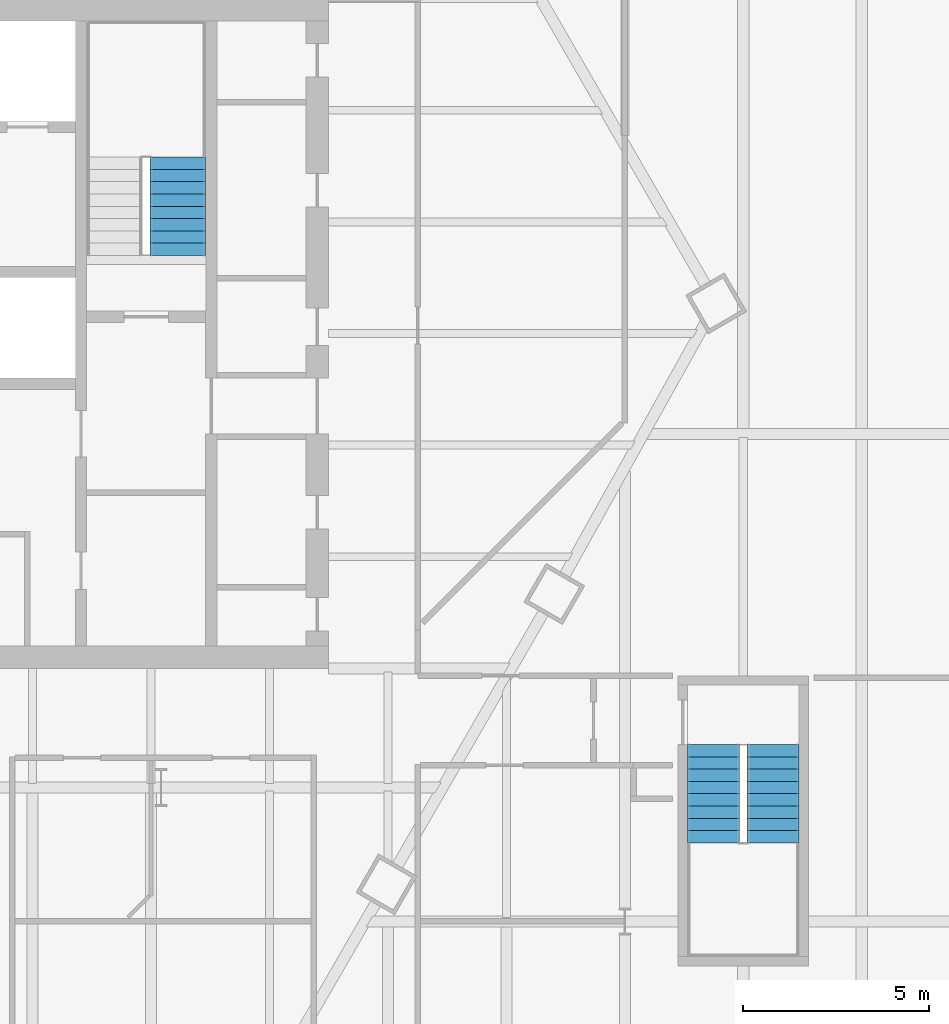
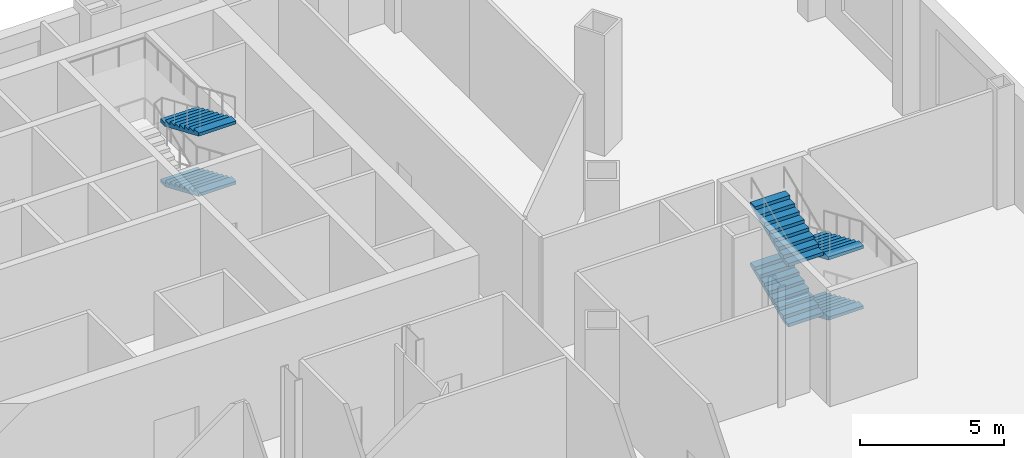
# One storey, part 18 of 20: 6 stair flights, 2 elements without a shape of their own.
"""IFC4 building model written with IfcOpenShell, lengths in metres."""

from ifc_helpers import new_model, si_unit, direction, frame, origin, place, context, subcontext, project, spatial, polygons, material, type_object, element, aggregate, save


model = new_model("IFC4")

# Units and contexts
model_context = context("Model", 3, precision=1e-05, world=origin(), true_north=direction((0.0, 1.0)))
body_context = subcontext(model_context, "Body", "Model", "MODEL_VIEW")
ifc_project = project(units=[si_unit("LENGTHUNIT", "METRE"), si_unit("AREAUNIT", "SQUARE_METRE"), si_unit("VOLUMEUNIT", "CUBIC_METRE"), si_unit("PLANEANGLEUNIT", "RADIAN"), si_unit("MASSUNIT", "GRAM", prefix="KILO")], contexts=[model_context])

# Site, building, storey
site_placement = place(None, origin())
site = spatial("IfcSite", under=ifc_project, at=site_placement, CompositionType="ELEMENT")
building_placement = place(site_placement, origin())
building = spatial("IfcBuilding", under=site, at=building_placement, Name="Njiva Tower", CompositionType="ELEMENT")
storey_placement = place(building_placement, frame((0.0, 0.0, 18.6)))
storey = spatial("IfcBuildingStorey", under=building, at=storey_placement, Name="L03", CompositionType="ELEMENT", Elevation=18.6)

# Stair, stair flights
ifc_material = material(Name="Concrete C40/50", Category="concrete")
stair_type_1 = type_object("IfcStairType", Name="ST2 Exit stair 1400", PredefinedType="HALF_TURN_STAIR", material=ifc_material)
stair_1_placement = place(storey_placement, origin())
stair_1 = element("IfcStair", 1, at=stair_1_placement, inside=storey, type_object=stair_type_1, Name="Stair G", PredefinedType="DOUBLE_RETURN_STAIR")
stair_flight_type_1 = type_object("IfcStairFlightType", Name="FL2 Stair flight 1400", PredefinedType="STRAIGHT", material=ifc_material)
stair_flight_1_placement = place(storey_placement, frame((29.45, -2.05, 0.0), z_axis=(0.0, 0.0, 1.0), x_axis=(0.0, -1.0, 0.0)))
stair_flight_1 = element("IfcStairFlight", 2, at=stair_flight_1_placement, type_object=stair_flight_type_1, Name="ST-G flight 1", NumberOfRisers=9, NumberOfTreads=8, PredefinedType="STRAIGHT", RiserHeight=0.141666667, TreadLength=0.33, context=body_context, shape_type="Tessellation", body=[
    polygons([(0.0, 0.7, 0.0), (0.0, 0.35, 0.0), (0.0, 0.0, 0.0), (0.0, -0.35, 0.0), (0.0, -0.7, 0.0), (0.0, 0.7, 0.1417), (0.0, 0.35, 0.1417), (0.0, 0.0, 0.1417), (0.0, -0.35, 0.1417), (0.0, -0.7, 0.1417), (0.33, 0.7, 0.1417), (0.33, 0.35, 0.1417), (0.33, 0.0, 0.1417), (0.33, -0.35, 0.1417), (0.33, -0.7, 0.1417), (0.33, 0.7, 0.2833), (0.33, 0.35, 0.2833), (0.33, 0.0, 0.2833), (0.33, -0.35, 0.2833), (0.33, -0.7, 0.2833), (0.66, 0.7, 0.2833), (0.66, 0.35, 0.2833), (0.66, 0.0, 0.2833), (0.66, -0.35, 0.2833), (0.66, -0.7, 0.2833), (0.66, 0.7, 0.425), (0.66, 0.35, 0.425), (0.66, 0.0, 0.425), (0.66, -0.35, 0.425), (0.66, -0.7, 0.425), (0.99, 0.7, 0.425), (0.99, 0.35, 0.425), (0.99, 0.0, 0.425), (0.99, -0.35, 0.425), (0.99, -0.7, 0.425), (0.99, 0.7, 0.5667), (0.99, 0.35, 0.5667), (0.99, 0.0, 0.5667), (0.99, -0.35, 0.5667), (0.99, -0.7, 0.5667), (1.32, 0.7, 0.5667), (1.32, 0.35, 0.5667), (1.32, 0.0, 0.5667), (1.32, -0.35, 0.5667), (1.32, -0.7, 0.5667), (1.32, 0.7, 0.7083), (1.32, 0.35, 0.7083), (1.32, 0.0, 0.7083), (1.32, -0.35, 0.7083), (1.32, -0.7, 0.7083), (1.65, 0.7, 0.7083), (1.65, 0.35, 0.7083), (1.65, 0.0, 0.7083), (1.65, -0.35, 0.7083), (1.65, -0.7, 0.7083), (1.65, 0.7, 0.85), (1.65, 0.35, 0.85), (1.65, 0.0, 0.85), (1.65, -0.35, 0.85), (1.65, -0.7, 0.85), (1.98, 0.7, 0.85), (1.98, 0.35, 0.85), (1.98, 0.0, 0.85), (1.98, -0.35, 0.85), (1.98, -0.7, 0.85), (1.98, 0.7, 0.9917), (1.98, 0.35, 0.9917), (1.98, 0.0, 0.9917), (1.98, -0.35, 0.9917), (1.98, -0.7, 0.9917), (2.31, 0.7, 0.9917), (2.31, 0.35, 0.9917), (2.31, 0.0, 0.9917), (2.31, -0.35, 0.9917), (2.31, -0.7, 0.9917), (2.31, 0.7, 1.1333), (2.31, 0.35, 1.1333), (2.31, 0.0, 1.1333), (2.31, -0.35, 1.1333), (2.31, -0.7, 1.1333), (2.64, 0.7, 1.1333), (2.64, 0.35, 1.1333), (2.64, 0.0, 1.1333), (2.64, -0.35, 1.1333), (2.64, -0.7, 1.1333), (2.64, 0.7, 1.0027), (2.64, 0.35, 1.0027), (2.64, 0.0, 1.0027), (2.64, -0.35, 1.0027), (2.64, -0.7, 1.0027), (0.3042, 0.7, 0.0), (0.3042, 0.35, 0.0), (0.3042, 0.0, 0.0), (0.3042, -0.35, 0.0), (0.3042, -0.7, 0.0)], [[[1, 6, 11, 16, 21, 26, 31, 36, 41, 46, 51, 56, 61, 66, 71, 76, 81, 86, 91]], [[95, 90, 85, 80, 75, 70, 65, 60, 55, 50, 45, 40, 35, 30, 25, 20, 15, 10, 5]], [[6, 1, 2, 7]], [[7, 2, 3, 8]], [[8, 3, 4, 9]], [[9, 4, 5, 10]], [[11, 6, 7, 12]], [[12, 7, 8, 13]], [[13, 8, 9, 14]], [[14, 9, 10, 15]], [[16, 11, 12, 17]], [[17, 12, 13, 18]], [[18, 13, 14, 19]], [[19, 14, 15, 20]], [[21, 16, 17, 22]], [[22, 17, 18, 23]], [[23, 18, 19, 24]], [[24, 19, 20, 25]], [[26, 21, 22, 27]], [[27, 22, 23, 28]], [[28, 23, 24, 29]], [[29, 24, 25, 30]], [[31, 26, 27, 32]], [[32, 27, 28, 33]], [[33, 28, 29, 34]], [[34, 29, 30, 35]], [[36, 31, 32, 37]], [[37, 32, 33, 38]], [[38, 33, 34, 39]], [[39, 34, 35, 40]], [[41, 36, 37, 42]], [[42, 37, 38, 43]], [[43, 38, 39, 44]], [[44, 39, 40, 45]], [[46, 41, 42, 47]], [[47, 42, 43, 48]], [[48, 43, 44, 49]], [[49, 44, 45, 50]], [[51, 46, 47, 52]], [[52, 47, 48, 53]], [[53, 48, 49, 54]], [[54, 49, 50, 55]], [[56, 51, 52, 57]], [[57, 52, 53, 58]], [[58, 53, 54, 59]], [[59, 54, 55, 60]], [[61, 56, 57, 62]], [[62, 57, 58, 63]], [[63, 58, 59, 64]], [[64, 59, 60, 65]], [[66, 61, 62, 67]], [[67, 62, 63, 68]], [[68, 63, 64, 69]], [[69, 64, 65, 70]], [[71, 66, 67, 72]], [[72, 67, 68, 73]], [[73, 68, 69, 74]], [[74, 69, 70, 75]], [[76, 71, 72, 77]], [[77, 72, 73, 78]], [[78, 73, 74, 79]], [[79, 74, 75, 80]], [[81, 76, 77, 82]], [[82, 77, 78, 83]], [[83, 78, 79, 84]], [[84, 79, 80, 85]], [[86, 81, 82, 87]], [[87, 82, 83, 88]], [[88, 83, 84, 89]], [[89, 84, 85, 90]], [[91, 86, 87, 92]], [[92, 87, 88, 93]], [[93, 88, 89, 94]], [[94, 89, 90, 95]], [[1, 91, 92, 2]], [[2, 92, 93, 3]], [[3, 93, 94, 4]], [[4, 94, 95, 5]]], closed=True),
])
stair_flight_2_placement = place(storey_placement, frame((27.85, -4.69, 1.275), z_axis=(0.0, 0.0, 1.0), x_axis=(0.0, 1.0, 0.0)))
stair_flight_2 = element("IfcStairFlight", 3, at=stair_flight_2_placement, type_object=stair_flight_type_1, Name="ST-G flight 2", NumberOfRisers=9, NumberOfTreads=8, PredefinedType="STRAIGHT", RiserHeight=0.141666667, TreadLength=0.33, context=body_context, shape_type="Tessellation", body=[
    polygons([(0.0, 0.7, 0.0), (0.0, 0.35, 0.0), (0.0, 0.0, 0.0), (0.0, -0.35, 0.0), (0.0, -0.7, 0.0), (0.0, 0.7, 0.1417), (0.0, 0.35, 0.1417), (0.0, 0.0, 0.1417), (0.0, -0.35, 0.1417), (0.0, -0.7, 0.1417), (0.33, 0.7, 0.1417), (0.33, 0.35, 0.1417), (0.33, 0.0, 0.1417), (0.33, -0.35, 0.1417), (0.33, -0.7, 0.1417), (0.33, 0.7, 0.2833), (0.33, 0.35, 0.2833), (0.33, 0.0, 0.2833), (0.33, -0.35, 0.2833), (0.33, -0.7, 0.2833), (0.66, 0.7, 0.2833), (0.66, 0.35, 0.2833), (0.66, 0.0, 0.2833), (0.66, -0.35, 0.2833), (0.66, -0.7, 0.2833), (0.66, 0.7, 0.425), (0.66, 0.35, 0.425), (0.66, 0.0, 0.425), (0.66, -0.35, 0.425), (0.66, -0.7, 0.425), (0.99, 0.7, 0.425), (0.99, 0.35, 0.425), (0.99, 0.0, 0.425), (0.99, -0.35, 0.425), (0.99, -0.7, 0.425), (0.99, 0.7, 0.5667), (0.99, 0.35, 0.5667), (0.99, 0.0, 0.5667), (0.99, -0.35, 0.5667), (0.99, -0.7, 0.5667), (1.32, 0.7, 0.5667), (1.32, 0.35, 0.5667), (1.32, 0.0, 0.5667), (1.32, -0.35, 0.5667), (1.32, -0.7, 0.5667), (1.32, 0.7, 0.7083), (1.32, 0.35, 0.7083), (1.32, 0.0, 0.7083), (1.32, -0.35, 0.7083), (1.32, -0.7, 0.7083), (1.65, 0.7, 0.7083), (1.65, 0.35, 0.7083), (1.65, 0.0, 0.7083), (1.65, -0.35, 0.7083), (1.65, -0.7, 0.7083), (1.65, 0.7, 0.85), (1.65, 0.35, 0.85), (1.65, 0.0, 0.85), (1.65, -0.35, 0.85), (1.65, -0.7, 0.85), (1.98, 0.7, 0.85), (1.98, 0.35, 0.85), (1.98, 0.0, 0.85), (1.98, -0.35, 0.85), (1.98, -0.7, 0.85), (1.98, 0.7, 0.9917), (1.98, 0.35, 0.9917), (1.98, 0.0, 0.9917), (1.98, -0.35, 0.9917), (1.98, -0.7, 0.9917), (2.31, 0.7, 0.9917), (2.31, 0.35, 0.9917), (2.31, 0.0, 0.9917), (2.31, -0.35, 0.9917), (2.31, -0.7, 0.9917), (2.31, 0.7, 1.1333), (2.31, 0.35, 1.1333), (2.31, 0.0, 1.1333), (2.31, -0.35, 1.1333), (2.31, -0.7, 1.1333), (2.64, 0.7, 1.1333), (2.64, 0.35, 1.1333), (2.64, 0.0, 1.1333), (2.64, -0.35, 1.1333), (2.64, -0.7, 1.1333), (2.64, 0.7, 1.0027), (2.64, 0.35, 1.0027), (2.64, 0.0, 1.0027), (2.64, -0.35, 1.0027), (2.64, -0.7, 1.0027), (0.3042, 0.7, 0.0), (0.3042, 0.35, 0.0), (0.3042, 0.0, 0.0), (0.3042, -0.35, 0.0), (0.3042, -0.7, 0.0)], [[[1, 6, 11, 16, 21, 26, 31, 36, 41, 46, 51, 56, 61, 66, 71, 76, 81, 86, 91]], [[95, 90, 85, 80, 75, 70, 65, 60, 55, 50, 45, 40, 35, 30, 25, 20, 15, 10, 5]], [[6, 1, 2, 7]], [[7, 2, 3, 8]], [[8, 3, 4, 9]], [[9, 4, 5, 10]], [[11, 6, 7, 12]], [[12, 7, 8, 13]], [[13, 8, 9, 14]], [[14, 9, 10, 15]], [[16, 11, 12, 17]], [[17, 12, 13, 18]], [[18, 13, 14, 19]], [[19, 14, 15, 20]], [[21, 16, 17, 22]], [[22, 17, 18, 23]], [[23, 18, 19, 24]], [[24, 19, 20, 25]], [[26, 21, 22, 27]], [[27, 22, 23, 28]], [[28, 23, 24, 29]], [[29, 24, 25, 30]], [[31, 26, 27, 32]], [[32, 27, 28, 33]], [[33, 28, 29, 34]], [[34, 29, 30, 35]], [[36, 31, 32, 37]], [[37, 32, 33, 38]], [[38, 33, 34, 39]], [[39, 34, 35, 40]], [[41, 36, 37, 42]], [[42, 37, 38, 43]], [[43, 38, 39, 44]], [[44, 39, 40, 45]], [[46, 41, 42, 47]], [[47, 42, 43, 48]], [[48, 43, 44, 49]], [[49, 44, 45, 50]], [[51, 46, 47, 52]], [[52, 47, 48, 53]], [[53, 48, 49, 54]], [[54, 49, 50, 55]], [[56, 51, 52, 57]], [[57, 52, 53, 58]], [[58, 53, 54, 59]], [[59, 54, 55, 60]], [[61, 56, 57, 62]], [[62, 57, 58, 63]], [[63, 58, 59, 64]], [[64, 59, 60, 65]], [[66, 61, 62, 67]], [[67, 62, 63, 68]], [[68, 63, 64, 69]], [[69, 64, 65, 70]], [[71, 66, 67, 72]], [[72, 67, 68, 73]], [[73, 68, 69, 74]], [[74, 69, 70, 75]], [[76, 71, 72, 77]], [[77, 72, 73, 78]], [[78, 73, 74, 79]], [[79, 74, 75, 80]], [[81, 76, 77, 82]], [[82, 77, 78, 83]], [[83, 78, 79, 84]], [[84, 79, 80, 85]], [[86, 81, 82, 87]], [[87, 82, 83, 88]], [[88, 83, 84, 89]], [[89, 84, 85, 90]], [[91, 86, 87, 92]], [[92, 87, 88, 93]], [[93, 88, 89, 94]], [[94, 89, 90, 95]], [[1, 91, 92, 2]], [[2, 92, 93, 3]], [[3, 93, 94, 4]], [[4, 94, 95, 5]]], closed=True),
])
stair_flight_3_placement = place(storey_placement, frame((29.45, -2.05, 2.55), z_axis=(0.0, 0.0, 1.0), x_axis=(0.0, -1.0, 0.0)))
stair_flight_3 = element("IfcStairFlight", 4, at=stair_flight_3_placement, type_object=stair_flight_type_1, Name="ST-G flight 3", NumberOfRisers=9, NumberOfTreads=8, PredefinedType="STRAIGHT", RiserHeight=0.141666667, TreadLength=0.33, context=body_context, shape_type="Tessellation", body=[
    polygons([(0.0, 0.7, 0.0), (0.0, 0.35, 0.0), (0.0, 0.0, 0.0), (0.0, -0.35, 0.0), (0.0, -0.7, 0.0), (0.0, 0.7, 0.1417), (0.0, 0.35, 0.1417), (0.0, 0.0, 0.1417), (0.0, -0.35, 0.1417), (0.0, -0.7, 0.1417), (0.33, 0.7, 0.1417), (0.33, 0.35, 0.1417), (0.33, 0.0, 0.1417), (0.33, -0.35, 0.1417), (0.33, -0.7, 0.1417), (0.33, 0.7, 0.2833), (0.33, 0.35, 0.2833), (0.33, 0.0, 0.2833), (0.33, -0.35, 0.2833), (0.33, -0.7, 0.2833), (0.66, 0.7, 0.2833), (0.66, 0.35, 0.2833), (0.66, 0.0, 0.2833), (0.66, -0.35, 0.2833), (0.66, -0.7, 0.2833), (0.66, 0.7, 0.425), (0.66, 0.35, 0.425), (0.66, 0.0, 0.425), (0.66, -0.35, 0.425), (0.66, -0.7, 0.425), (0.99, 0.7, 0.425), (0.99, 0.35, 0.425), (0.99, 0.0, 0.425), (0.99, -0.35, 0.425), (0.99, -0.7, 0.425), (0.99, 0.7, 0.5667), (0.99, 0.35, 0.5667), (0.99, 0.0, 0.5667), (0.99, -0.35, 0.5667), (0.99, -0.7, 0.5667), (1.32, 0.7, 0.5667), (1.32, 0.35, 0.5667), (1.32, 0.0, 0.5667), (1.32, -0.35, 0.5667), (1.32, -0.7, 0.5667), (1.32, 0.7, 0.7083), (1.32, 0.35, 0.7083), (1.32, 0.0, 0.7083), (1.32, -0.35, 0.7083), (1.32, -0.7, 0.7083), (1.65, 0.7, 0.7083), (1.65, 0.35, 0.7083), (1.65, 0.0, 0.7083), (1.65, -0.35, 0.7083), (1.65, -0.7, 0.7083), (1.65, 0.7, 0.85), (1.65, 0.35, 0.85), (1.65, 0.0, 0.85), (1.65, -0.35, 0.85), (1.65, -0.7, 0.85), (1.98, 0.7, 0.85), (1.98, 0.35, 0.85), (1.98, 0.0, 0.85), (1.98, -0.35, 0.85), (1.98, -0.7, 0.85), (1.98, 0.7, 0.9917), (1.98, 0.35, 0.9917), (1.98, 0.0, 0.9917), (1.98, -0.35, 0.9917), (1.98, -0.7, 0.9917), (2.31, 0.7, 0.9917), (2.31, 0.35, 0.9917), (2.31, 0.0, 0.9917), (2.31, -0.35, 0.9917), (2.31, -0.7, 0.9917), (2.31, 0.7, 1.1333), (2.31, 0.35, 1.1333), (2.31, 0.0, 1.1333), (2.31, -0.35, 1.1333), (2.31, -0.7, 1.1333), (2.64, 0.7, 1.1333), (2.64, 0.35, 1.1333), (2.64, 0.0, 1.1333), (2.64, -0.35, 1.1333), (2.64, -0.7, 1.1333), (2.64, 0.7, 1.0027), (2.64, 0.35, 1.0027), (2.64, 0.0, 1.0027), (2.64, -0.35, 1.0027), (2.64, -0.7, 1.0027), (0.3042, 0.7, 0.0), (0.3042, 0.35, 0.0), (0.3042, 0.0, 0.0), (0.3042, -0.35, 0.0), (0.3042, -0.7, 0.0)], [[[1, 6, 11, 16, 21, 26, 31, 36, 41, 46, 51, 56, 61, 66, 71, 76, 81, 86, 91]], [[95, 90, 85, 80, 75, 70, 65, 60, 55, 50, 45, 40, 35, 30, 25, 20, 15, 10, 5]], [[6, 1, 2, 7]], [[7, 2, 3, 8]], [[8, 3, 4, 9]], [[9, 4, 5, 10]], [[11, 6, 7, 12]], [[12, 7, 8, 13]], [[13, 8, 9, 14]], [[14, 9, 10, 15]], [[16, 11, 12, 17]], [[17, 12, 13, 18]], [[18, 13, 14, 19]], [[19, 14, 15, 20]], [[21, 16, 17, 22]], [[22, 17, 18, 23]], [[23, 18, 19, 24]], [[24, 19, 20, 25]], [[26, 21, 22, 27]], [[27, 22, 23, 28]], [[28, 23, 24, 29]], [[29, 24, 25, 30]], [[31, 26, 27, 32]], [[32, 27, 28, 33]], [[33, 28, 29, 34]], [[34, 29, 30, 35]], [[36, 31, 32, 37]], [[37, 32, 33, 38]], [[38, 33, 34, 39]], [[39, 34, 35, 40]], [[41, 36, 37, 42]], [[42, 37, 38, 43]], [[43, 38, 39, 44]], [[44, 39, 40, 45]], [[46, 41, 42, 47]], [[47, 42, 43, 48]], [[48, 43, 44, 49]], [[49, 44, 45, 50]], [[51, 46, 47, 52]], [[52, 47, 48, 53]], [[53, 48, 49, 54]], [[54, 49, 50, 55]], [[56, 51, 52, 57]], [[57, 52, 53, 58]], [[58, 53, 54, 59]], [[59, 54, 55, 60]], [[61, 56, 57, 62]], [[62, 57, 58, 63]], [[63, 58, 59, 64]], [[64, 59, 60, 65]], [[66, 61, 62, 67]], [[67, 62, 63, 68]], [[68, 63, 64, 69]], [[69, 64, 65, 70]], [[71, 66, 67, 72]], [[72, 67, 68, 73]], [[73, 68, 69, 74]], [[74, 69, 70, 75]], [[76, 71, 72, 77]], [[77, 72, 73, 78]], [[78, 73, 74, 79]], [[79, 74, 75, 80]], [[81, 76, 77, 82]], [[82, 77, 78, 83]], [[83, 78, 79, 84]], [[84, 79, 80, 85]], [[86, 81, 82, 87]], [[87, 82, 83, 88]], [[88, 83, 84, 89]], [[89, 84, 85, 90]], [[91, 86, 87, 92]], [[92, 87, 88, 93]], [[93, 88, 89, 94]], [[94, 89, 90, 95]], [[1, 91, 92, 2]], [[2, 92, 93, 3]], [[3, 93, 94, 4]], [[4, 94, 95, 5]]], closed=True),
])
stair_flight_4_placement = place(storey_placement, frame((27.85, -4.69, 3.825), z_axis=(0.0, 0.0, 1.0), x_axis=(0.0, 1.0, 0.0)))
stair_flight_4 = element("IfcStairFlight", 5, at=stair_flight_4_placement, type_object=stair_flight_type_1, Name="ST-G flight 4", NumberOfRisers=9, NumberOfTreads=8, PredefinedType="STRAIGHT", RiserHeight=0.141666667, TreadLength=0.33, context=body_context, shape_type="Tessellation", body=[
    polygons([(0.0, 0.7, 0.0), (0.0, 0.35, 0.0), (0.0, 0.0, 0.0), (0.0, -0.35, 0.0), (0.0, -0.7, 0.0), (0.0, 0.7, 0.1417), (0.0, 0.35, 0.1417), (0.0, 0.0, 0.1417), (0.0, -0.35, 0.1417), (0.0, -0.7, 0.1417), (0.33, 0.7, 0.1417), (0.33, 0.35, 0.1417), (0.33, 0.0, 0.1417), (0.33, -0.35, 0.1417), (0.33, -0.7, 0.1417), (0.33, 0.7, 0.2833), (0.33, 0.35, 0.2833), (0.33, 0.0, 0.2833), (0.33, -0.35, 0.2833), (0.33, -0.7, 0.2833), (0.66, 0.7, 0.2833), (0.66, 0.35, 0.2833), (0.66, 0.0, 0.2833), (0.66, -0.35, 0.2833), (0.66, -0.7, 0.2833), (0.66, 0.7, 0.425), (0.66, 0.35, 0.425), (0.66, 0.0, 0.425), (0.66, -0.35, 0.425), (0.66, -0.7, 0.425), (0.99, 0.7, 0.425), (0.99, 0.35, 0.425), (0.99, 0.0, 0.425), (0.99, -0.35, 0.425), (0.99, -0.7, 0.425), (0.99, 0.7, 0.5667), (0.99, 0.35, 0.5667), (0.99, 0.0, 0.5667), (0.99, -0.35, 0.5667), (0.99, -0.7, 0.5667), (1.32, 0.7, 0.5667), (1.32, 0.35, 0.5667), (1.32, 0.0, 0.5667), (1.32, -0.35, 0.5667), (1.32, -0.7, 0.5667), (1.32, 0.7, 0.7083), (1.32, 0.35, 0.7083), (1.32, 0.0, 0.7083), (1.32, -0.35, 0.7083), (1.32, -0.7, 0.7083), (1.65, 0.7, 0.7083), (1.65, 0.35, 0.7083), (1.65, 0.0, 0.7083), (1.65, -0.35, 0.7083), (1.65, -0.7, 0.7083), (1.65, 0.7, 0.85), (1.65, 0.35, 0.85), (1.65, 0.0, 0.85), (1.65, -0.35, 0.85), (1.65, -0.7, 0.85), (1.98, 0.7, 0.85), (1.98, 0.35, 0.85), (1.98, 0.0, 0.85), (1.98, -0.35, 0.85), (1.98, -0.7, 0.85), (1.98, 0.7, 0.9917), (1.98, 0.35, 0.9917), (1.98, 0.0, 0.9917), (1.98, -0.35, 0.9917), (1.98, -0.7, 0.9917), (2.31, 0.7, 0.9917), (2.31, 0.35, 0.9917), (2.31, 0.0, 0.9917), (2.31, -0.35, 0.9917), (2.31, -0.7, 0.9917), (2.31, 0.7, 1.1333), (2.31, 0.35, 1.1333), (2.31, 0.0, 1.1333), (2.31, -0.35, 1.1333), (2.31, -0.7, 1.1333), (2.64, 0.7, 1.1333), (2.64, 0.35, 1.1333), (2.64, 0.0, 1.1333), (2.64, -0.35, 1.1333), (2.64, -0.7, 1.1333), (2.64, 0.7, 1.0027), (2.64, 0.35, 1.0027), (2.64, 0.0, 1.0027), (2.64, -0.35, 1.0027), (2.64, -0.7, 1.0027), (0.3042, 0.7, 0.0), (0.3042, 0.35, 0.0), (0.3042, 0.0, 0.0), (0.3042, -0.35, 0.0), (0.3042, -0.7, 0.0)], [[[1, 6, 11, 16, 21, 26, 31, 36, 41, 46, 51, 56, 61, 66, 71, 76, 81, 86, 91]], [[95, 90, 85, 80, 75, 70, 65, 60, 55, 50, 45, 40, 35, 30, 25, 20, 15, 10, 5]], [[6, 1, 2, 7]], [[7, 2, 3, 8]], [[8, 3, 4, 9]], [[9, 4, 5, 10]], [[11, 6, 7, 12]], [[12, 7, 8, 13]], [[13, 8, 9, 14]], [[14, 9, 10, 15]], [[16, 11, 12, 17]], [[17, 12, 13, 18]], [[18, 13, 14, 19]], [[19, 14, 15, 20]], [[21, 16, 17, 22]], [[22, 17, 18, 23]], [[23, 18, 19, 24]], [[24, 19, 20, 25]], [[26, 21, 22, 27]], [[27, 22, 23, 28]], [[28, 23, 24, 29]], [[29, 24, 25, 30]], [[31, 26, 27, 32]], [[32, 27, 28, 33]], [[33, 28, 29, 34]], [[34, 29, 30, 35]], [[36, 31, 32, 37]], [[37, 32, 33, 38]], [[38, 33, 34, 39]], [[39, 34, 35, 40]], [[41, 36, 37, 42]], [[42, 37, 38, 43]], [[43, 38, 39, 44]], [[44, 39, 40, 45]], [[46, 41, 42, 47]], [[47, 42, 43, 48]], [[48, 43, 44, 49]], [[49, 44, 45, 50]], [[51, 46, 47, 52]], [[52, 47, 48, 53]], [[53, 48, 49, 54]], [[54, 49, 50, 55]], [[56, 51, 52, 57]], [[57, 52, 53, 58]], [[58, 53, 54, 59]], [[59, 54, 55, 60]], [[61, 56, 57, 62]], [[62, 57, 58, 63]], [[63, 58, 59, 64]], [[64, 59, 60, 65]], [[66, 61, 62, 67]], [[67, 62, 63, 68]], [[68, 63, 64, 69]], [[69, 64, 65, 70]], [[71, 66, 67, 72]], [[72, 67, 68, 73]], [[73, 68, 69, 74]], [[74, 69, 70, 75]], [[76, 71, 72, 77]], [[77, 72, 73, 78]], [[78, 73, 74, 79]], [[79, 74, 75, 80]], [[81, 76, 77, 82]], [[82, 77, 78, 83]], [[83, 78, 79, 84]], [[84, 79, 80, 85]], [[86, 81, 82, 87]], [[87, 82, 83, 88]], [[88, 83, 84, 89]], [[89, 84, 85, 90]], [[91, 86, 87, 92]], [[92, 87, 88, 93]], [[93, 88, 89, 94]], [[94, 89, 90, 95]], [[1, 91, 92, 2]], [[2, 92, 93, 3]], [[3, 93, 94, 4]], [[4, 94, 95, 5]]], closed=True),
])
aggregate(stair_1, [stair_flight_1, stair_flight_2, stair_flight_3, stair_flight_4])

stair_type_2 = type_object("IfcStairType", Name="ST4 Exit stair 1500", PredefinedType="HALF_TURN_STAIR", material=ifc_material)
stair_2_placement = place(storey_placement, origin())
stair_2 = element("IfcStair", 6, at=stair_2_placement, inside=storey, type_object=stair_type_2, Name="Stair B", PredefinedType="DOUBLE_RETURN_STAIR")
stair_flight_type_2 = type_object("IfcStairFlightType", Name="FL4 Stair flight 1500", PredefinedType="STRAIGHT", material=ifc_material)
stair_flight_5_placement = place(storey_placement, frame((13.45, 13.74, 1.275), z_axis=(0.0, 0.0, 1.0), x_axis=(0.0, -1.0, 0.0)))
stair_flight_5 = element("IfcStairFlight", 7, at=stair_flight_5_placement, type_object=stair_flight_type_2, Name="ST-B flight 2", NumberOfRisers=9, NumberOfTreads=8, PredefinedType="STRAIGHT", RiserHeight=0.141666667, TreadLength=0.33, context=body_context, shape_type="Tessellation", body=[
    polygons([(0.0, 0.75, 0.0), (0.0, 0.375, 0.0), (0.0, 0.0, 0.0), (0.0, -0.375, 0.0), (0.0, -0.75, 0.0), (0.0, 0.75, 0.1417), (0.0, 0.375, 0.1417), (0.0, 0.0, 0.1417), (0.0, -0.375, 0.1417), (0.0, -0.75, 0.1417), (0.33, 0.75, 0.1417), (0.33, 0.375, 0.1417), (0.33, 0.0, 0.1417), (0.33, -0.375, 0.1417), (0.33, -0.75, 0.1417), (0.33, 0.75, 0.2833), (0.33, 0.375, 0.2833), (0.33, 0.0, 0.2833), (0.33, -0.375, 0.2833), (0.33, -0.75, 0.2833), (0.66, 0.75, 0.2833), (0.66, 0.375, 0.2833), (0.66, 0.0, 0.2833), (0.66, -0.375, 0.2833), (0.66, -0.75, 0.2833), (0.66, 0.75, 0.425), (0.66, 0.375, 0.425), (0.66, 0.0, 0.425), (0.66, -0.375, 0.425), (0.66, -0.75, 0.425), (0.99, 0.75, 0.425), (0.99, 0.375, 0.425), (0.99, 0.0, 0.425), (0.99, -0.375, 0.425), (0.99, -0.75, 0.425), (0.99, 0.75, 0.5667), (0.99, 0.375, 0.5667), (0.99, 0.0, 0.5667), (0.99, -0.375, 0.5667), (0.99, -0.75, 0.5667), (1.32, 0.75, 0.5667), (1.32, 0.375, 0.5667), (1.32, 0.0, 0.5667), (1.32, -0.375, 0.5667), (1.32, -0.75, 0.5667), (1.32, 0.75, 0.7083), (1.32, 0.375, 0.7083), (1.32, 0.0, 0.7083), (1.32, -0.375, 0.7083), (1.32, -0.75, 0.7083), (1.65, 0.75, 0.7083), (1.65, 0.375, 0.7083), (1.65, 0.0, 0.7083), (1.65, -0.375, 0.7083), (1.65, -0.75, 0.7083), (1.65, 0.75, 0.85), (1.65, 0.375, 0.85), (1.65, 0.0, 0.85), (1.65, -0.375, 0.85), (1.65, -0.75, 0.85), (1.98, 0.75, 0.85), (1.98, 0.375, 0.85), (1.98, 0.0, 0.85), (1.98, -0.375, 0.85), (1.98, -0.75, 0.85), (1.98, 0.75, 0.9917), (1.98, 0.375, 0.9917), (1.98, 0.0, 0.9917), (1.98, -0.375, 0.9917), (1.98, -0.75, 0.9917), (2.31, 0.75, 0.9917), (2.31, 0.375, 0.9917), (2.31, 0.0, 0.9917), (2.31, -0.375, 0.9917), (2.31, -0.75, 0.9917), (2.31, 0.75, 1.1333), (2.31, 0.375, 1.1333), (2.31, 0.0, 1.1333), (2.31, -0.375, 1.1333), (2.31, -0.75, 1.1333), (2.64, 0.75, 1.1333), (2.64, 0.375, 1.1333), (2.64, 0.0, 1.1333), (2.64, -0.375, 1.1333), (2.64, -0.75, 1.1333), (2.64, 0.75, 1.0027), (2.64, 0.375, 1.0027), (2.64, 0.0, 1.0027), (2.64, -0.375, 1.0027), (2.64, -0.75, 1.0027), (0.3042, 0.75, 0.0), (0.3042, 0.375, 0.0), (0.3042, 0.0, 0.0), (0.3042, -0.375, 0.0), (0.3042, -0.75, 0.0)], [[[1, 6, 11, 16, 21, 26, 31, 36, 41, 46, 51, 56, 61, 66, 71, 76, 81, 86, 91]], [[95, 90, 85, 80, 75, 70, 65, 60, 55, 50, 45, 40, 35, 30, 25, 20, 15, 10, 5]], [[6, 1, 2, 7]], [[7, 2, 3, 8]], [[8, 3, 4, 9]], [[9, 4, 5, 10]], [[11, 6, 7, 12]], [[12, 7, 8, 13]], [[13, 8, 9, 14]], [[14, 9, 10, 15]], [[16, 11, 12, 17]], [[17, 12, 13, 18]], [[18, 13, 14, 19]], [[19, 14, 15, 20]], [[21, 16, 17, 22]], [[22, 17, 18, 23]], [[23, 18, 19, 24]], [[24, 19, 20, 25]], [[26, 21, 22, 27]], [[27, 22, 23, 28]], [[28, 23, 24, 29]], [[29, 24, 25, 30]], [[31, 26, 27, 32]], [[32, 27, 28, 33]], [[33, 28, 29, 34]], [[34, 29, 30, 35]], [[36, 31, 32, 37]], [[37, 32, 33, 38]], [[38, 33, 34, 39]], [[39, 34, 35, 40]], [[41, 36, 37, 42]], [[42, 37, 38, 43]], [[43, 38, 39, 44]], [[44, 39, 40, 45]], [[46, 41, 42, 47]], [[47, 42, 43, 48]], [[48, 43, 44, 49]], [[49, 44, 45, 50]], [[51, 46, 47, 52]], [[52, 47, 48, 53]], [[53, 48, 49, 54]], [[54, 49, 50, 55]], [[56, 51, 52, 57]], [[57, 52, 53, 58]], [[58, 53, 54, 59]], [[59, 54, 55, 60]], [[61, 56, 57, 62]], [[62, 57, 58, 63]], [[63, 58, 59, 64]], [[64, 59, 60, 65]], [[66, 61, 62, 67]], [[67, 62, 63, 68]], [[68, 63, 64, 69]], [[69, 64, 65, 70]], [[71, 66, 67, 72]], [[72, 67, 68, 73]], [[73, 68, 69, 74]], [[74, 69, 70, 75]], [[76, 71, 72, 77]], [[77, 72, 73, 78]], [[78, 73, 74, 79]], [[79, 74, 75, 80]], [[81, 76, 77, 82]], [[82, 77, 78, 83]], [[83, 78, 79, 84]], [[84, 79, 80, 85]], [[86, 81, 82, 87]], [[87, 82, 83, 88]], [[88, 83, 84, 89]], [[89, 84, 85, 90]], [[91, 86, 87, 92]], [[92, 87, 88, 93]], [[93, 88, 89, 94]], [[94, 89, 90, 95]], [[1, 91, 92, 2]], [[2, 92, 93, 3]], [[3, 93, 94, 4]], [[4, 94, 95, 5]]], closed=True),
])
stair_flight_6_placement = place(storey_placement, frame((13.45, 13.74, 3.825), z_axis=(0.0, 0.0, 1.0), x_axis=(0.0, -1.0, 0.0)))
stair_flight_6 = element("IfcStairFlight", 8, at=stair_flight_6_placement, type_object=stair_flight_type_2, Name="ST-B flight 4", NumberOfRisers=9, NumberOfTreads=8, PredefinedType="STRAIGHT", RiserHeight=0.141666667, TreadLength=0.33, context=body_context, shape_type="Tessellation", body=[
    polygons([(0.0, 0.75, 0.0), (0.0, 0.375, 0.0), (0.0, 0.0, 0.0), (0.0, -0.375, 0.0), (0.0, -0.75, 0.0), (0.0, 0.75, 0.1417), (0.0, 0.375, 0.1417), (0.0, 0.0, 0.1417), (0.0, -0.375, 0.1417), (0.0, -0.75, 0.1417), (0.33, 0.75, 0.1417), (0.33, 0.375, 0.1417), (0.33, 0.0, 0.1417), (0.33, -0.375, 0.1417), (0.33, -0.75, 0.1417), (0.33, 0.75, 0.2833), (0.33, 0.375, 0.2833), (0.33, 0.0, 0.2833), (0.33, -0.375, 0.2833), (0.33, -0.75, 0.2833), (0.66, 0.75, 0.2833), (0.66, 0.375, 0.2833), (0.66, 0.0, 0.2833), (0.66, -0.375, 0.2833), (0.66, -0.75, 0.2833), (0.66, 0.75, 0.425), (0.66, 0.375, 0.425), (0.66, 0.0, 0.425), (0.66, -0.375, 0.425), (0.66, -0.75, 0.425), (0.99, 0.75, 0.425), (0.99, 0.375, 0.425), (0.99, 0.0, 0.425), (0.99, -0.375, 0.425), (0.99, -0.75, 0.425), (0.99, 0.75, 0.5667), (0.99, 0.375, 0.5667), (0.99, 0.0, 0.5667), (0.99, -0.375, 0.5667), (0.99, -0.75, 0.5667), (1.32, 0.75, 0.5667), (1.32, 0.375, 0.5667), (1.32, 0.0, 0.5667), (1.32, -0.375, 0.5667), (1.32, -0.75, 0.5667), (1.32, 0.75, 0.7083), (1.32, 0.375, 0.7083), (1.32, 0.0, 0.7083), (1.32, -0.375, 0.7083), (1.32, -0.75, 0.7083), (1.65, 0.75, 0.7083), (1.65, 0.375, 0.7083), (1.65, 0.0, 0.7083), (1.65, -0.375, 0.7083), (1.65, -0.75, 0.7083), (1.65, 0.75, 0.85), (1.65, 0.375, 0.85), (1.65, 0.0, 0.85), (1.65, -0.375, 0.85), (1.65, -0.75, 0.85), (1.98, 0.75, 0.85), (1.98, 0.375, 0.85), (1.98, 0.0, 0.85), (1.98, -0.375, 0.85), (1.98, -0.75, 0.85), (1.98, 0.75, 0.9917), (1.98, 0.375, 0.9917), (1.98, 0.0, 0.9917), (1.98, -0.375, 0.9917), (1.98, -0.75, 0.9917), (2.31, 0.75, 0.9917), (2.31, 0.375, 0.9917), (2.31, 0.0, 0.9917), (2.31, -0.375, 0.9917), (2.31, -0.75, 0.9917), (2.31, 0.75, 1.1333), (2.31, 0.375, 1.1333), (2.31, 0.0, 1.1333), (2.31, -0.375, 1.1333), (2.31, -0.75, 1.1333), (2.64, 0.75, 1.1333), (2.64, 0.375, 1.1333), (2.64, 0.0, 1.1333), (2.64, -0.375, 1.1333), (2.64, -0.75, 1.1333), (2.64, 0.75, 1.0027), (2.64, 0.375, 1.0027), (2.64, 0.0, 1.0027), (2.64, -0.375, 1.0027), (2.64, -0.75, 1.0027), (0.3042, 0.75, 0.0), (0.3042, 0.375, 0.0), (0.3042, 0.0, 0.0), (0.3042, -0.375, 0.0), (0.3042, -0.75, 0.0)], [[[1, 6, 11, 16, 21, 26, 31, 36, 41, 46, 51, 56, 61, 66, 71, 76, 81, 86, 91]], [[95, 90, 85, 80, 75, 70, 65, 60, 55, 50, 45, 40, 35, 30, 25, 20, 15, 10, 5]], [[6, 1, 2, 7]], [[7, 2, 3, 8]], [[8, 3, 4, 9]], [[9, 4, 5, 10]], [[11, 6, 7, 12]], [[12, 7, 8, 13]], [[13, 8, 9, 14]], [[14, 9, 10, 15]], [[16, 11, 12, 17]], [[17, 12, 13, 18]], [[18, 13, 14, 19]], [[19, 14, 15, 20]], [[21, 16, 17, 22]], [[22, 17, 18, 23]], [[23, 18, 19, 24]], [[24, 19, 20, 25]], [[26, 21, 22, 27]], [[27, 22, 23, 28]], [[28, 23, 24, 29]], [[29, 24, 25, 30]], [[31, 26, 27, 32]], [[32, 27, 28, 33]], [[33, 28, 29, 34]], [[34, 29, 30, 35]], [[36, 31, 32, 37]], [[37, 32, 33, 38]], [[38, 33, 34, 39]], [[39, 34, 35, 40]], [[41, 36, 37, 42]], [[42, 37, 38, 43]], [[43, 38, 39, 44]], [[44, 39, 40, 45]], [[46, 41, 42, 47]], [[47, 42, 43, 48]], [[48, 43, 44, 49]], [[49, 44, 45, 50]], [[51, 46, 47, 52]], [[52, 47, 48, 53]], [[53, 48, 49, 54]], [[54, 49, 50, 55]], [[56, 51, 52, 57]], [[57, 52, 53, 58]], [[58, 53, 54, 59]], [[59, 54, 55, 60]], [[61, 56, 57, 62]], [[62, 57, 58, 63]], [[63, 58, 59, 64]], [[64, 59, 60, 65]], [[66, 61, 62, 67]], [[67, 62, 63, 68]], [[68, 63, 64, 69]], [[69, 64, 65, 70]], [[71, 66, 67, 72]], [[72, 67, 68, 73]], [[73, 68, 69, 74]], [[74, 69, 70, 75]], [[76, 71, 72, 77]], [[77, 72, 73, 78]], [[78, 73, 74, 79]], [[79, 74, 75, 80]], [[81, 76, 77, 82]], [[82, 77, 78, 83]], [[83, 78, 79, 84]], [[84, 79, 80, 85]], [[86, 81, 82, 87]], [[87, 82, 83, 88]], [[88, 83, 84, 89]], [[89, 84, 85, 90]], [[91, 86, 87, 92]], [[92, 87, 88, 93]], [[93, 88, 89, 94]], [[94, 89, 90, 95]], [[1, 91, 92, 2]], [[2, 92, 93, 3]], [[3, 93, 94, 4]], [[4, 94, 95, 5]]], closed=True),
])
aggregate(stair_2, [stair_flight_5, stair_flight_6])

save(model, "model.ifc")
